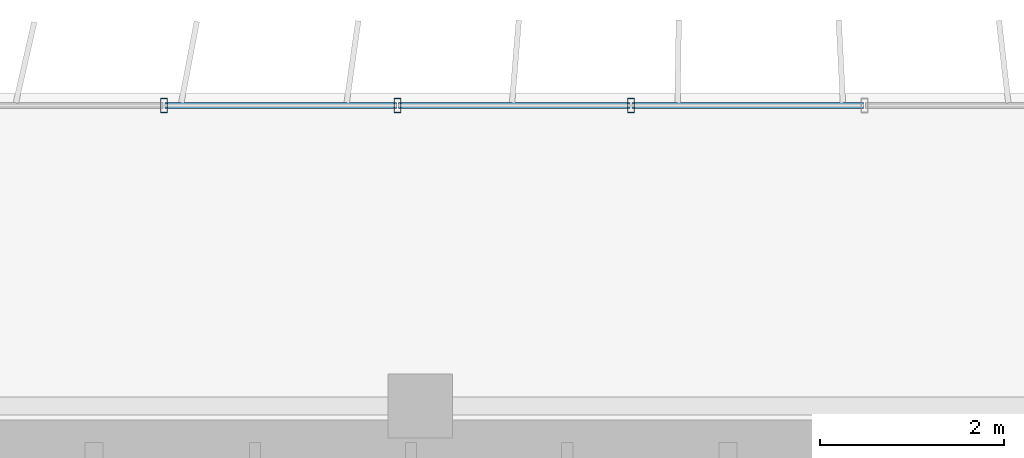
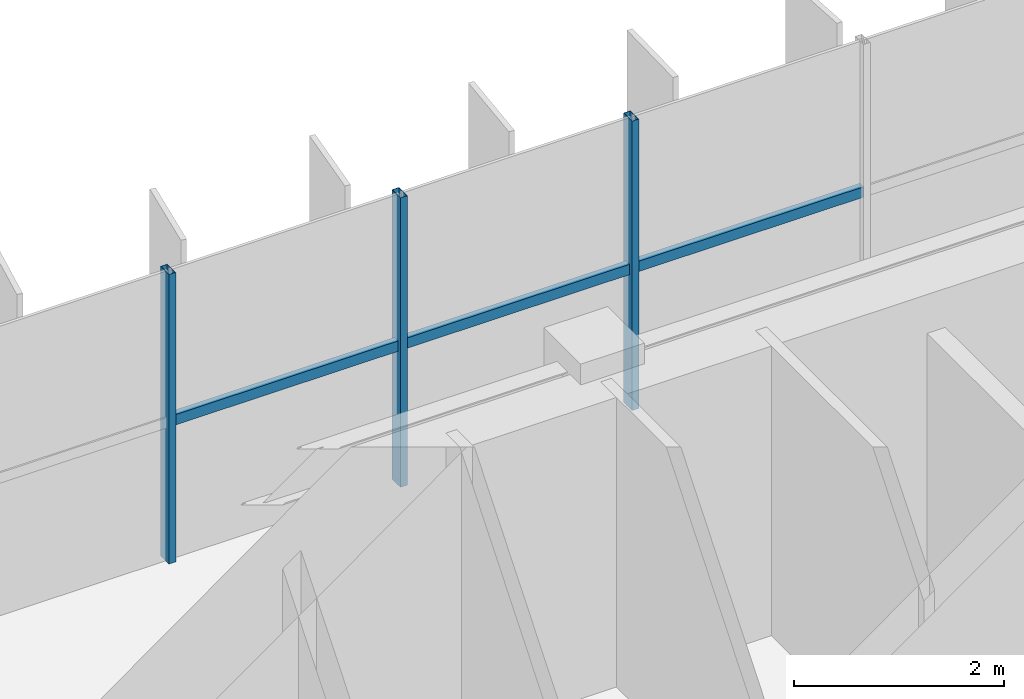
# One storey, part 11 of 23: 6 members, 1 element without a shape of its own.
"""IFC4 building model written with IfcOpenShell, lengths in metres."""

from ifc_helpers import new_model, si_unit, direction, frame, origin, origin_2d, place, context, subcontext, project, spatial, hollow_rectangle, extrude, source, transform, mapped, material, material_profile, profile_set, type_object, element, aggregate, save


model = new_model("IFC4")

# Units and contexts
model_context = context("Model", 3, precision=1e-05, world=origin(), true_north=direction((0.0, 1.0)))
body_context = subcontext(model_context, "Body", "Model", "MODEL_VIEW")
ifc_project = project(units=[si_unit("LENGTHUNIT", "METRE"), si_unit("AREAUNIT", "SQUARE_METRE"), si_unit("VOLUMEUNIT", "CUBIC_METRE"), si_unit("PLANEANGLEUNIT", "RADIAN"), si_unit("MASSUNIT", "GRAM", prefix="KILO")], contexts=[model_context])

# Site, building, storey
site_placement = place(None, origin())
site = spatial("IfcSite", under=ifc_project, at=site_placement, CompositionType="ELEMENT")
building_placement = place(site_placement, origin())
building = spatial("IfcBuilding", under=site, at=building_placement, Name="Trelvane Seafront Commons", CompositionType="ELEMENT")
storey_placement = place(building_placement, frame((0.0, 0.0, 212.10009765625)))
storey = spatial("IfcBuildingStorey", under=building, at=storey_placement, Name="L55", CompositionType="ELEMENT", Elevation=212.10009765625)

# Curtain wall, members
ifc_material = material(Name="Anodised pale-silver aluminium", Category="aluminium")
curtain_wall_type = type_object("IfcCurtainWallType", Name="ARCH-CW5-UPTOWER", PredefinedType="NOTDEFINED", material=ifc_material)
curtain_wall_placement = place(storey_placement, origin())
curtain_wall = element("IfcCurtainWall", 1, at=curtain_wall_placement, inside=storey, type_object=curtain_wall_type, Name="CW-L55-0098", PredefinedType="NOTDEFINED")
ifc_material_profile_1 = material_profile(ifc_material, hollow_rectangle(XDim=0.070068359375, YDim=0.1201171875, WallThickness=0.00390625, at=origin_2d()), Name="TRAN-70x120x4")
ifc_profile_set_1 = profile_set([ifc_material_profile_1], Name="Anodised pale-silver aluminium")
member_type_1 = type_object("IfcMemberType", Name="ARCH-CW-TRAN-120", PredefinedType="USERDEFINED", material=ifc_profile_set_1)
shared_shape_1 = source(origin(), body_context, "Body", "SweptSolid", [
    extrude(hollow_rectangle(XDim=0.070068359375, YDim=0.1201171875, WallThickness=0.00390625, at=origin_2d()), origin(), (0.0, 0.0, 1.0), 2.51708984375),
])
member_1_placement = place(storey_placement, frame((43.56494140625, 48.3701171875, 1.61279296875), z_axis=(1.0, 0.0, 0.0), x_axis=(0.0, 1.0, 0.0)))
member_1 = element("IfcMember", 2, at=member_1_placement, type_object=member_type_1, Name="CW-L55-0098-T11", ObjectType="TRANSOM", PredefinedType="USERDEFINED", context=body_context, shape_type="MappedRepresentation", body=[
    mapped(shared_shape_1, transform((0.0, 0.0, 0.0), x_axis=(1.0, 0.0, 0.0), y_axis=(0.0, 1.0, 0.0), z_axis=(0.0, 0.0, 1.0), scale=1.0)),
])
member_2_placement = place(storey_placement, frame((46.106201171875, 48.3701171875, 1.61279296875), z_axis=(1.0, 0.0, 0.0), x_axis=(0.0, 1.0, 0.0)))
member_2 = element("IfcMember", 3, at=member_2_placement, type_object=member_type_1, Name="CW-L55-0098-T12", ObjectType="TRANSOM", PredefinedType="USERDEFINED", context=body_context, shape_type="MappedRepresentation", body=[
    mapped(shared_shape_1, transform((0.0, 0.0, 0.0), x_axis=(1.0, 0.0, 0.0), y_axis=(0.0, 1.0, 0.0), z_axis=(0.0, 0.0, 1.0), scale=1.0)),
])
shared_shape_2 = source(origin(), body_context, "Body", "SweptSolid", [
    extrude(hollow_rectangle(XDim=0.070068359375, YDim=0.1201171875, WallThickness=0.00390625, at=origin_2d()), origin(), (0.0, 0.0, 1.0), 2.517333984375),
])
member_3_placement = place(storey_placement, frame((41.023681640625, 48.3701171875, 1.61279296875), z_axis=(1.0, 0.0, 0.0), x_axis=(0.0, 1.0, 0.0)))
member_3 = element("IfcMember", 4, at=member_3_placement, type_object=member_type_1, Name="CW-L55-0098-T10", ObjectType="TRANSOM", PredefinedType="USERDEFINED", context=body_context, shape_type="MappedRepresentation", body=[
    mapped(shared_shape_2, transform((0.0, 0.0, 0.0), x_axis=(1.0, 0.0, 0.0), y_axis=(0.0, 1.0, 0.0), z_axis=(0.0, 0.0, 1.0), scale=1.0)),
])
ifc_material_profile_2 = material_profile(ifc_material, hollow_rectangle(XDim=0.074951171875, YDim=0.159912109375, WallThickness=0.00390625, at=origin_2d()), Name="MULL-75x160x4")
ifc_profile_set_2 = profile_set([ifc_material_profile_2], Name="Anodised pale-silver aluminium")
member_type_2 = type_object("IfcMemberType", Name="ARCH-CW-MULL-160", PredefinedType="MULLION", material=ifc_profile_set_2)
shared_shape_3 = source(origin(), body_context, "Body", "SweptSolid", [
    extrude(hollow_rectangle(XDim=0.074951171875, YDim=0.159912109375, WallThickness=0.00390625, at=origin_2d()), origin(), (0.0, 0.0, 1.0), 3.35986328125),
])
member_4_placement = place(storey_placement, frame((41.01171875, 48.3701171875, 0.0), z_axis=(0.0, 0.0, 1.0), x_axis=(1.0, 0.0, 0.0)))
member_4 = element("IfcMember", 5, at=member_4_placement, type_object=member_type_2, Name="CW-L55-0098-M10", PredefinedType="MULLION", context=body_context, shape_type="MappedRepresentation", body=[
    mapped(shared_shape_3, transform((0.0, 0.0, 0.0), x_axis=(1.0, 0.0, 0.0), y_axis=(0.0, 1.0, 0.0), z_axis=(0.0, 0.0, 1.0), scale=1.0)),
])
member_5_placement = place(storey_placement, frame((43.552978515625, 48.3701171875, 0.0), z_axis=(0.0, 0.0, 1.0), x_axis=(1.0, 0.0, 0.0)))
member_5 = element("IfcMember", 6, at=member_5_placement, type_object=member_type_2, Name="CW-L55-0098-M11", PredefinedType="MULLION", context=body_context, shape_type="MappedRepresentation", body=[
    mapped(shared_shape_3, transform((0.0, 0.0, 0.0), x_axis=(1.0, 0.0, 0.0), y_axis=(0.0, 1.0, 0.0), z_axis=(0.0, 0.0, 1.0), scale=1.0)),
])
member_6_placement = place(storey_placement, frame((46.093994140625, 48.3701171875, 0.0), z_axis=(0.0, 0.0, 1.0), x_axis=(1.0, 0.0, 0.0)))
member_6 = element("IfcMember", 7, at=member_6_placement, type_object=member_type_2, Name="CW-L55-0098-M12", PredefinedType="MULLION", context=body_context, shape_type="MappedRepresentation", body=[
    mapped(shared_shape_3, transform((0.0, 0.0, 0.0), x_axis=(1.0, 0.0, 0.0), y_axis=(0.0, 1.0, 0.0), z_axis=(0.0, 0.0, 1.0), scale=1.0)),
])
aggregate(curtain_wall, [member_4, member_5, member_6, member_3, member_1, member_2])

save(model, "model.ifc")
